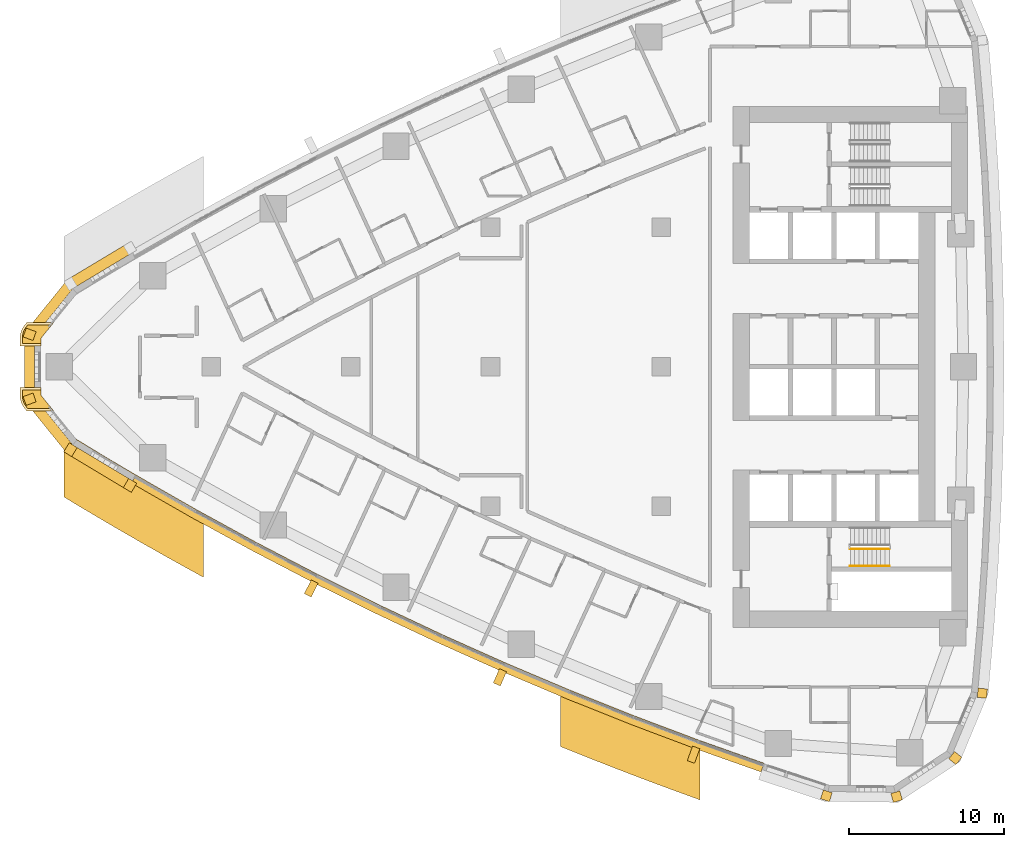
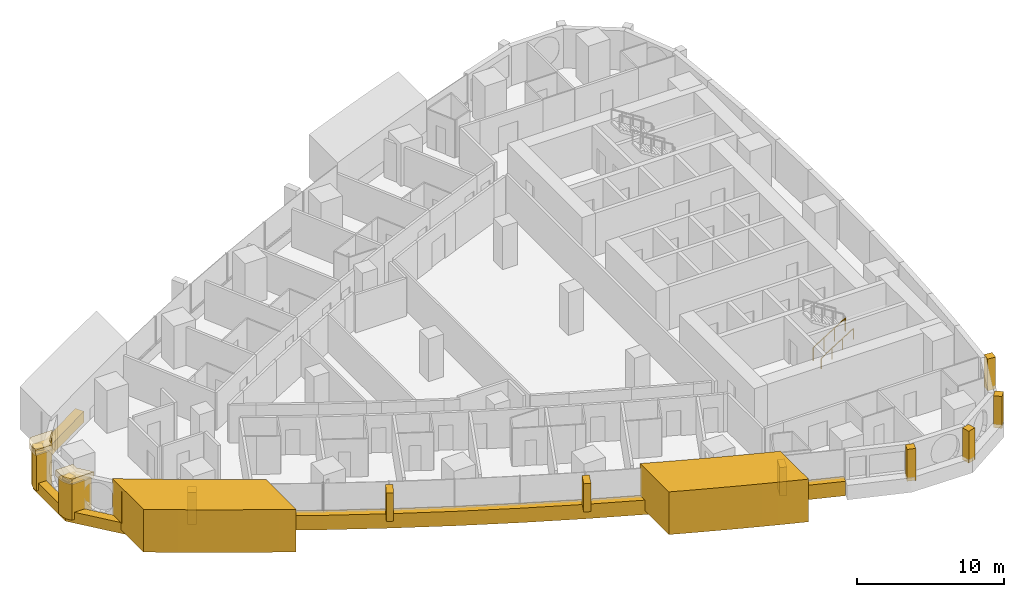
# One storey, part 14 of 17: 19 coverings, 2 railings.
"""IFC4 building model written with IfcOpenShell, lengths in metres."""

from ifc_helpers import new_model, si_unit, direction, frame, frame_2d, origin, origin_2d, place, context, subcontext, project, spatial, polyline, rectangle, circle, outline, extrude, material, layer, layer_set, type_object, element, save


model = new_model("IFC4")

# Units and contexts
model_context = context("Model", 3, precision=1e-05, world=origin(), true_north=direction((0.0, 1.0)))
body_context = subcontext(model_context, "Body", "Model", "MODEL_VIEW")
ifc_project = project(units=[si_unit("LENGTHUNIT", "METRE"), si_unit("AREAUNIT", "SQUARE_METRE"), si_unit("VOLUMEUNIT", "CUBIC_METRE"), si_unit("PLANEANGLEUNIT", "RADIAN"), si_unit("MASSUNIT", "GRAM", prefix="KILO")], contexts=[model_context])

# Site, building, storey
site_placement = place(None, origin())
site = spatial("IfcSite", under=ifc_project, at=site_placement, CompositionType="ELEMENT")
building_placement = place(site_placement, origin())
building = spatial("IfcBuilding", under=site, at=building_placement, Name="Ostrand Prow Hotel Tower", CompositionType="ELEMENT")
storey_placement = place(building_placement, frame((0.0, 0.0, 116.85009765625)))
storey = spatial("IfcBuildingStorey", under=building, at=storey_placement, Name="L28", CompositionType="ELEMENT", Elevation=116.85009765625)

# Coverings
ifc_material_1 = material(Name="Bronze anodised aluminium cladding", Category="aluminium")
ifc_layer_1 = layer(ifc_material_1, 0.60009765625)
ifc_layer_set_1 = layer_set([ifc_layer_1], Name="Bronze anodised aluminium cladding")
covering_type_1 = type_object("IfcCoveringType", Name="Bronze prow band 899x600", PredefinedType="CLADDING", material=ifc_layer_set_1)
covering_1_placement = place(storey_placement, frame((0.0, 0.0, -0.300048828125)))
element("IfcCovering", 1, at=covering_1_placement, inside=storey, type_object=covering_type_1, Name="Bronze prow band", PredefinedType="CLADDING", context=body_context, shape_type="SweptSolid", body=[
    extrude(outline(polyline([(10.580810546875, 7.9453125), (6.734130859375, 5.637939453125), (3.957763671875, 2.206787109375), (3.957763671875, -2.206787109375), (6.734130859375, -5.637939453125), (10.580810546875, -7.9453125), (10.9248046875, -7.358642578125), (7.089599609375, -5.058349609375), (4.598876953125, -1.97998046875), (4.598876953125, 1.97998046875), (7.089599609375, 5.058349609375), (10.9248046875, 7.358642578125), (10.580810546875, 7.9453125)])), origin(), (0.0, 0.0, 1.0), 0.89990234375),
])
ifc_material_2 = material(Name="Bronze anodised aluminium cladding", Category="aluminium")
ifc_layer_2 = layer(ifc_material_2, 0.60009765625)
ifc_layer_set_2 = layer_set([ifc_layer_2], Name="Bronze anodised aluminium cladding")
covering_type_2 = type_object("IfcCoveringType", Name="Bronze spandrel band 1200x600", PredefinedType="CLADDING", material=ifc_layer_set_2)
covering_2_placement = place(storey_placement, frame((0.0, 0.0, -0.300048828125)))
element("IfcCovering", 2, at=covering_2_placement, inside=storey, type_object=covering_type_2, Name="Spandrel band S1", PredefinedType="CLADDING", context=body_context, shape_type="SweptSolid", body=[
    extrude(outline(polyline([(10.841064453125, -7.50146484375), (14.72412109375, -9.726318359375), (18.651123046875, -11.872802734375), (22.620361328125, -13.940185546875), (26.6298828125, -15.927734375), (30.6787109375, -17.834716796875), (34.764892578125, -19.659912109375), (38.88671875, -21.4033203125), (43.042724609375, -23.0634765625), (47.231201171875, -24.64013671875), (51.4501953125, -26.1328125), (51.644775390625, -25.56494140625), (47.43701171875, -24.076416015625), (43.259765625, -22.504150390625), (39.114990234375, -20.848388671875), (35.004150390625, -19.10986328125), (30.928955078125, -17.289306640625), (26.89111328125, -15.3876953125), (22.89208984375, -13.4052734375), (18.93359375, -11.343505859375), (15.01708984375, -9.20263671875), (11.144287109375, -6.98388671875), (10.841064453125, -7.50146484375)])), origin(), (0.0, 0.0, 1.0), 1.199951171875),
])
ifc_material_3 = material(Name="Limestone cladding", Category="masonry")
ifc_layer_3 = layer(ifc_material_3, 5.0)
ifc_layer_set_3 = layer_set([ifc_layer_3], Name="Limestone cladding")
covering_type_3 = type_object("IfcCoveringType", Name="Portal jamb pilaster limestone", PredefinedType="CLADDING", material=ifc_layer_set_3)
covering_3_placement = place(storey_placement, origin())
element("IfcCovering", 3, at=covering_3_placement, inside=storey, type_object=covering_type_3, Name="Portal jamb SA L28", PredefinedType="CLADDING", context=body_context, shape_type="SweptSolid", body=[
    extrude(outline(polyline([(6.5, -4.184326171875), (6.5, -8.40625), (7.5, -9.0087890625), (8.5, -9.604248046875), (9.5, -10.19287109375), (10.5, -10.7744140625), (11.5, -11.349365234375), (12.5, -11.91748046875), (13.5, -12.478759765625), (14.5, -13.03369140625), (15.5, -13.581787109375), (15.5, -9.47216796875), (14.5, -8.912353515625), (13.5, -8.345703125), (12.5, -7.772216796875), (11.5, -7.19189453125), (10.5, -6.6044921875), (9.5, -6.01025390625), (8.5, -5.40869140625), (7.5, -4.80029296875), (6.5, -4.184326171875)])), origin(), (0.0, 0.0, 1.0), 3.5498046875),
])
covering_4_placement = place(storey_placement, origin())
element("IfcCovering", 4, at=covering_4_placement, inside=storey, type_object=covering_type_3, Name="Portal jamb SB L28", PredefinedType="CLADDING", context=body_context, shape_type="SweptSolid", body=[
    extrude(outline(polyline([(38.5, -20.59423828125), (38.5, -24.486083984375), (39.5, -24.890380859375), (40.5, -25.2890625), (41.5, -25.68212890625), (42.5, -26.06982421875), (43.5, -26.4521484375), (44.5, -26.8291015625), (45.5, -27.200439453125), (46.5, -27.566650390625), (47.5, -27.927490234375), (47.5, -24.099609375), (46.5, -23.732177734375), (45.5, -23.359130859375), (44.5, -22.98095703125), (43.5, -22.59716796875), (42.5, -22.207763671875), (41.5, -21.812744140625), (40.5, -21.412353515625), (39.5, -21.006103515625), (38.5, -20.59423828125)])), origin(), (0.0, 0.0, 1.0), 3.5498046875),
])
ifc_material_4 = material(Name="Limestone cladding", Category="masonry")
ifc_layer_4 = layer(ifc_material_4, 0.5)
ifc_layer_set_4 = layer_set([ifc_layer_4], Name="Limestone cladding")
covering_type_4 = type_object("IfcCoveringType", Name="Precast stone fin 500x900", PredefinedType="CLADDING", material=ifc_layer_set_4)
covering_5_placement = place(storey_placement, frame((22.66552734375, -13.85107421875, 0.89990234375), z_axis=(0.0, 0.0, 1.0), x_axis=(-0.453062569589, -0.891478719902, 0.0)))
element("IfcCovering", 5, at=covering_5_placement, inside=storey, type_object=covering_type_4, Name="Stone fin S 4", PredefinedType="CLADDING", context=body_context, shape_type="SweptSolid", body=[
    extrude(rectangle(XDim=1.000244140625, YDim=0.5, at=frame_2d((0.5, 0.0))), origin(), (0.0, 0.0, 1.0), 2.35009765625),
])
for number, where, z_axis, x_axis, name in (
    (6, (34.8046875, -19.568359375, 0.89990234375), (0.0, 0.0, 1.0), (-0.398717183359, -0.917073937965, 0.0), "Stone fin S 7"),
    (7, (47.265380859375, -24.546142578125, 0.89990234375), (0.0, 0.0, 1.0), (-0.342762160206, -0.93942221686, 0.0), "Stone fin S 10"),
):
    element("IfcCovering", number, at=place(storey_placement, frame(where, z_axis=z_axis, x_axis=x_axis)), inside=storey, type_object=covering_type_4, Name=name, PredefinedType="CLADDING", context=body_context, shape_type="SweptSolid", body=[
        extrude(rectangle(XDim=1.0, YDim=0.5, at=frame_2d((0.5, 0.0))), origin(), (0.0, 0.0, 1.0), 2.35009765625),
    ])
ifc_material_5 = material(Name="Limestone cladding", Category="masonry")
ifc_layer_5 = layer(ifc_material_5, 0.60009765625)
ifc_layer_set_5 = layer_set([ifc_layer_5], Name="Limestone cladding")
covering_type_5 = type_object("IfcCoveringType", Name="Precast stone prow rib 600x600", PredefinedType="CLADDING", material=ifc_layer_set_5)
for number, where, z_axis, x_axis, name in (
    (8, (4.598876953125, 1.97998046875, 0.599853515625), (0.0, 0.0, 1.0), (-0.942744850171, 0.333514838465, 0.0), "Stone prow rib 3"),
    (9, (4.598876953125, -1.97998046875, 0.599853515625), (0.0, 0.0, 1.0), (-0.942744850171, -0.333514838465, 0.0), "Stone prow rib 4"),
    (10, (7.089599609375, -5.058349609375, 0.599853515625), (0.0, 0.0, 1.0), (-0.522814637618, -0.852446394029, 0.0), "Stone prow rib 5"),
):
    element("IfcCovering", number, at=place(storey_placement, frame(where, z_axis=z_axis, x_axis=x_axis)), inside=storey, type_object=covering_type_5, Name=name, PredefinedType="CLADDING", context=body_context, shape_type="SweptSolid", body=[
        extrude(rectangle(XDim=0.679931640625, YDim=0.60009765625, at=frame_2d((0.33984375, 0.0))), origin(), (0.0, 0.0, 1.0), 2.650146484375),
    ])
covering_6_placement = place(storey_placement, frame((10.9248046875, -7.358642578125, 0.599853515625), z_axis=(0.0, 0.0, 1.0), x_axis=(-0.505811626043, -0.862643958397, 0.0)))
element("IfcCovering", 11, at=covering_6_placement, inside=storey, type_object=covering_type_5, Name="Stone prow rib 6", PredefinedType="CLADDING", context=body_context, shape_type="SweptSolid", body=[
    extrude(rectangle(XDim=0.68017578125, YDim=0.60009765625, at=frame_2d((0.340087890625, 0.0))), origin(), (0.0, 0.0, 1.0), 2.650146484375),
])
covering_7_placement = place(storey_placement, frame((55.7490234375, -27.3828125, 0.599853515625), z_axis=(0.0, 0.0, 1.0), x_axis=(-0.305218682065, -0.952282288042, 0.0)))
element("IfcCovering", 12, at=covering_7_placement, inside=storey, type_object=covering_type_5, Name="Stone corner rib 2a", PredefinedType="CLADDING", context=body_context, shape_type="SweptSolid", body=[
    extrude(rectangle(XDim=0.599853515625, YDim=0.60009765625, at=frame_2d((0.2998046875, 0.0))), origin(), (0.0, 0.0, 1.0), 2.650146484375),
])
covering_8_placement = place(storey_placement, frame((60.104736328125, -27.437744140625, 0.599853515625), z_axis=(0.0, 0.0, 1.0), x_axis=(0.280734221166, -0.959785547436, 0.0)))
element("IfcCovering", 13, at=covering_8_placement, inside=storey, type_object=covering_type_5, Name="Stone corner rib 3a", PredefinedType="CLADDING", context=body_context, shape_type="SweptSolid", body=[
    extrude(rectangle(XDim=0.60009765625, YDim=0.60009765625, at=frame_2d((0.300048828125, 0.0))), origin(), (0.0, 0.0, 1.0), 2.650146484375),
])
for number, where, z_axis, x_axis, name in (
    (14, (63.74365234375, -25.043212890625, 0.599853515625), (0.0, 0.0, 1.0), (0.770318500913, -0.637659319034, 0.0), "Stone corner rib 4a"),
    (15, (65.41650390625, -21.02099609375, 0.599853515625), (0.0, 0.0, 1.0), (0.99529571972, -0.096883591531, 0.0), "Stone corner rib 4b"),
):
    element("IfcCovering", number, at=place(storey_placement, frame(where, z_axis=z_axis, x_axis=x_axis)), inside=storey, type_object=covering_type_5, Name=name, PredefinedType="CLADDING", context=body_context, shape_type="SweptSolid", body=[
        extrude(rectangle(XDim=0.599853515625, YDim=0.60009765625, at=frame_2d((0.2998046875, 0.0))), origin(), (0.0, 0.0, 1.0), 2.650146484375),
    ])
ifc_material_6 = material(Name="Limestone cladding", Category="masonry")
ifc_layer_6 = layer(ifc_material_6, 3.0)
ifc_layer_set_6 = layer_set([ifc_layer_6], Name="Limestone cladding")
covering_type_6 = type_object("IfcCoveringType", Name="Prow nose pier limestone", PredefinedType="CLADDING", material=ifc_layer_set_6)
covering_9_placement = place(storey_placement, frame((0.0, 0.0, 3.0498046875)))
element("IfcCovering", 16, at=covering_9_placement, inside=storey, type_object=covering_type_6, Name="Prow spine cap N L28", PredefinedType="CLADDING", context=body_context, shape_type="SweptSolid", body=[
    extrude(outline(polyline([(3.658203125, 1.8349609375), (3.658203125, 1.35009765625), (5.00830078125, 1.35009765625), (5.00830078125, 1.8349609375), (5.82958984375, 2.85009765625), (4.093017578125, 2.85009765625), (3.958984375, 2.68408203125), (3.88134765625, 2.578369140625), (3.814697265625, 2.465576171875), (3.759033203125, 2.3466796875), (3.71533203125, 2.22314453125), (3.68359375, 2.095703125), (3.664794921875, 1.966064453125), (3.658203125, 1.8349609375)])), origin(), (0.0, 0.0, 1.0), 0.5),
])
covering_10_placement = place(storey_placement, origin())
element("IfcCovering", 17, at=covering_10_placement, inside=storey, type_object=covering_type_6, Name="Prow spine fin N L28", PredefinedType="CLADDING", context=body_context, shape_type="SweptSolid", body=[
    extrude(outline(polyline([(3.808349609375, 1.8349609375), (3.808349609375, 1.5), (5.00830078125, 1.5), (5.00830078125, 1.8349609375), (5.708251953125, 2.699951171875), (4.16455078125, 2.699951171875), (4.075439453125, 2.58984375), (4.006591796875, 2.495849609375), (3.947265625, 2.3955078125), (3.897705078125, 2.289794921875), (3.85888671875, 2.179931640625), (3.830810546875, 2.06689453125), (3.81396484375, 1.951416015625), (3.808349609375, 1.8349609375)])), origin(), (0.0, 0.0, 1.0), 3.0498046875),
])
covering_11_placement = place(storey_placement, frame((0.0, 0.0, 3.0498046875)))
element("IfcCovering", 18, at=covering_11_placement, inside=storey, type_object=covering_type_6, Name="Prow spine cap S L28", PredefinedType="CLADDING", context=body_context, shape_type="SweptSolid", body=[
    extrude(outline(polyline([(3.958984375, -2.68408203125), (4.093017578125, -2.85009765625), (5.82958984375, -2.85009765625), (5.00830078125, -1.8349609375), (5.00830078125, -1.35009765625), (3.658203125, -1.35009765625), (3.658203125, -1.8349609375), (3.664794921875, -1.966064453125), (3.68359375, -2.095703125), (3.71533203125, -2.22314453125), (3.759033203125, -2.3466796875), (3.814697265625, -2.465576171875), (3.88134765625, -2.578369140625), (3.958984375, -2.68408203125)])), origin(), (0.0, 0.0, 1.0), 0.5),
])
covering_12_placement = place(storey_placement, origin())
element("IfcCovering", 19, at=covering_12_placement, inside=storey, type_object=covering_type_6, Name="Prow spine fin S L28", PredefinedType="CLADDING", context=body_context, shape_type="SweptSolid", body=[
    extrude(outline(polyline([(4.075439453125, -2.58984375), (4.16455078125, -2.699951171875), (5.708251953125, -2.699951171875), (5.00830078125, -1.8349609375), (5.00830078125, -1.5), (3.808349609375, -1.5), (3.808349609375, -1.8349609375), (3.81396484375, -1.951416015625), (3.830810546875, -2.06689453125), (3.85888671875, -2.179931640625), (3.897705078125, -2.289794921875), (3.947265625, -2.3955078125), (4.006591796875, -2.495849609375), (4.075439453125, -2.58984375)])), origin(), (0.0, 0.0, 1.0), 3.0498046875),
])

# Railings
ifc_material_7 = material(Name="Painted steel", Category="steel")
railing_type_1 = type_object("IfcRailingType", Name="Stair guard 1100", PredefinedType="GUARDRAIL", material=ifc_material_7)
railing_1_placement = place(storey_placement, frame((57.199951171875, -11.75, 0.177490234375)))
element("IfcRailing", 20, at=railing_1_placement, inside=storey, type_object=railing_type_1, Name="L28 ST2C stair guard 1", PredefinedType="GUARDRAIL", context=body_context, shape_type="SweptSolid", body=[
    extrude(circle(Radius=0.02392578125, at=origin_2d()), frame((0.0, 0.0, 1.076171875), z_axis=(0.84460694969, 0.0, 0.535386869969), x_axis=(0.0, 1.0, 0.0)), (0.0, 0.0, 1.0), 2.983642578125),
    extrude(circle(Radius=0.02099609375, at=origin_2d()), origin(), (0.0, 0.0, 1.0), 1.052001953125),
    extrude(circle(Radius=0.02099609375, at=origin_2d()), frame((0.840087890625, 0.0, 0.532470703125)), (0.0, 0.0, 1.0), 1.052001953125),
    extrude(circle(Radius=0.02099609375, at=origin_2d()), frame((1.679931640625, 0.0, 1.06494140625)), (0.0, 0.0, 1.0), 1.052001953125),
    extrude(circle(Radius=0.02099609375, at=origin_2d()), frame((2.52001953125, 0.0, 1.597412109375)), (0.0, 0.0, 1.0), 1.052001953125),
])
ifc_material_8 = material(Name="Stainless steel", Category="steel")
railing_type_2 = type_object("IfcRailingType", Name="Stair handrail 900", PredefinedType="HANDRAIL", material=ifc_material_8)
railing_2_placement = place(storey_placement, frame((57.199951171875, -12.85009765625, 0.177490234375)))
element("IfcRailing", 21, at=railing_2_placement, inside=storey, type_object=railing_type_2, Name="L28 ST2C stair handrail 1", PredefinedType="HANDRAIL", context=body_context, shape_type="SweptSolid", body=[
    extrude(circle(Radius=0.02392578125, at=origin_2d()), frame((0.0, 0.0, 0.8759765625), z_axis=(0.84460694969, 0.0, 0.535386869969), x_axis=(0.0, 1.0, 0.0)), (0.0, 0.0, 1.0), 2.983642578125),
    extrude(circle(Radius=0.02099609375, at=origin_2d()), origin(), (0.0, 0.0, 1.0), 0.851806640625),
    extrude(circle(Radius=0.02099609375, at=origin_2d()), frame((0.840087890625, 0.0, 0.532470703125)), (0.0, 0.0, 1.0), 0.851806640625),
    extrude(circle(Radius=0.02099609375, at=origin_2d()), frame((1.679931640625, 0.0, 1.06494140625)), (0.0, 0.0, 1.0), 0.851806640625),
    extrude(circle(Radius=0.02099609375, at=origin_2d()), frame((2.52001953125, 0.0, 1.597412109375)), (0.0, 0.0, 1.0), 0.851806640625),
])

save(model, "model.ifc")
